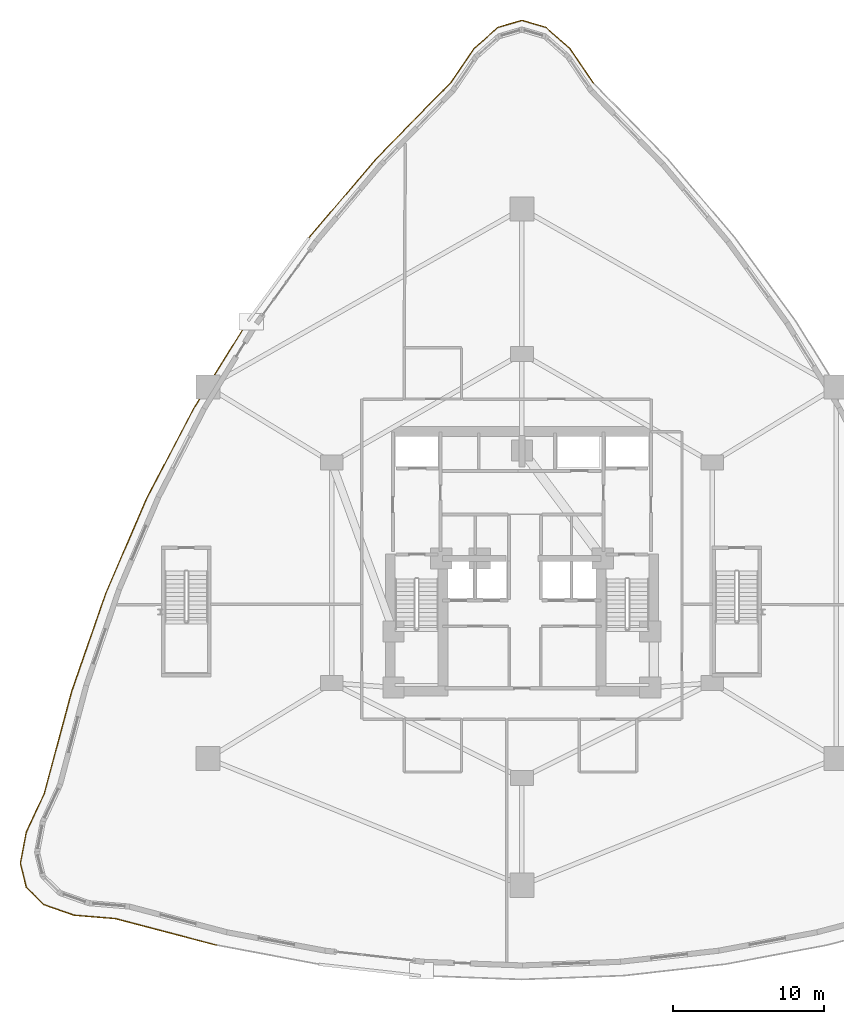
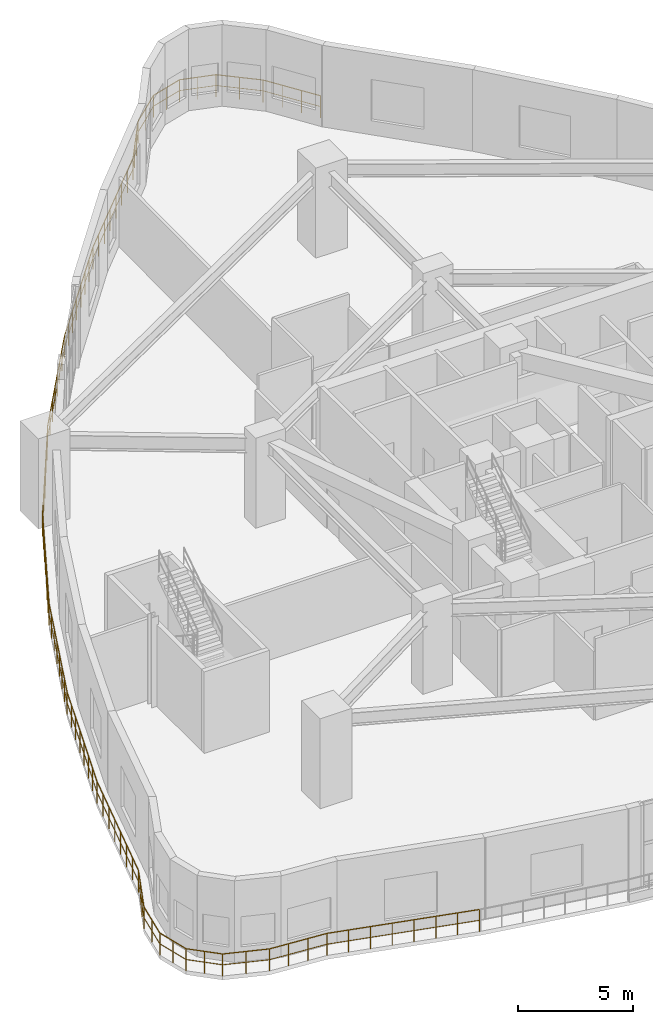
# One storey, part 19 of 19: 1 railing.
"""IFC4 building model written with IfcOpenShell, lengths in metres."""

from ifc_helpers import new_model, si_unit, direction, frame, origin, origin_2d, place, context, subcontext, project, spatial, circle, extrude, material, type_object, element, save


model = new_model("IFC4")

# Units and contexts
model_context = context("Model", 3, precision=1e-05, world=origin(), true_north=direction((0.0, 1.0)))
body_context = subcontext(model_context, "Body", "Model", "MODEL_VIEW")
ifc_project = project(units=[si_unit("LENGTHUNIT", "METRE"), si_unit("AREAUNIT", "SQUARE_METRE"), si_unit("VOLUMEUNIT", "CUBIC_METRE"), si_unit("PLANEANGLEUNIT", "RADIAN"), si_unit("MASSUNIT", "GRAM", prefix="KILO")], contexts=[model_context])

# Site, building, storey
site_placement = place(None, origin())
site = spatial("IfcSite", under=ifc_project, at=site_placement, CompositionType="ELEMENT")
building_placement = place(site_placement, origin())
building = spatial("IfcBuilding", under=site, at=building_placement, Name="Miruveldt Soraemaru", CompositionType="ELEMENT")
storey_placement = place(building_placement, frame((0.0, 0.0, 19.199951171875)))
storey = spatial("IfcBuildingStorey", under=building, at=storey_placement, Name="L05", CompositionType="ELEMENT", Elevation=19.199951171875)

# Railing
ifc_material = material(Name="Anodised aluminium EN AW-6063 T6", Category="aluminium")
railing_type = type_object("IfcRailingType", Name="RAIL-GUARD-1200", PredefinedType="GUARDRAIL", material=ifc_material)
railing_placement = place(storey_placement, frame((48.728515625, 75.548095703125, 0.0)))
element("IfcRailing", 1, at=railing_placement, inside=storey, type_object=railing_type, Name="L05 Planted Terrace Perimeter Guardrail (A)", PredefinedType="GUARDRAIL", context=body_context, shape_type="SweptSolid", body=[
    extrude(circle(Radius=0.02392578125, at=origin_2d()), frame((0.0, 0.0, 1.17578125), z_axis=(-0.565691815901, 0.82461674093, 0.0), x_axis=(-0.82461674093, -0.565691815901, 0.0)), (0.0, 0.0, 1.0), 2.786376953125),
    extrude(circle(Radius=0.01611328125, at=origin_2d()), frame((0.0, 0.0, 0.60009765625), z_axis=(-0.565691815901, 0.82461674093, 0.0), x_axis=(-0.82461674093, -0.565691815901, 0.0)), (0.0, 0.0, 1.0), 2.786376953125),
    extrude(circle(Radius=0.02392578125, at=origin_2d()), frame((-1.576171875, 2.297607421875, 1.17578125), z_axis=(-0.752634465508, 0.658438578251, 0.0), x_axis=(-0.658438578251, -0.752634465508, 0.0)), (0.0, 0.0, 1.0), 2.09423828125),
    extrude(circle(Radius=0.01611328125, at=origin_2d()), frame((-1.576171875, 2.297607421875, 0.60009765625), z_axis=(-0.752634465508, 0.658438578251, 0.0), x_axis=(-0.658438578251, -0.752634465508, 0.0)), (0.0, 0.0, 1.0), 2.09423828125),
    extrude(circle(Radius=0.02392578125, at=origin_2d()), frame((-3.15234375, 3.676513671875, 1.17578125), z_axis=(-0.960039962142, 0.27986295055, 0.0), x_axis=(-0.27986295055, -0.960039962142, 0.0)), (0.0, 0.0, 1.0), 1.641845703125),
    extrude(circle(Radius=0.01611328125, at=origin_2d()), frame((-3.15234375, 3.676513671875, 0.60009765625), z_axis=(-0.960039962142, 0.27986295055, 0.0), x_axis=(-0.27986295055, -0.960039962142, 0.0)), (0.0, 0.0, 1.0), 1.641845703125),
    extrude(circle(Radius=0.02392578125, at=origin_2d()), frame((-4.728515625, 4.135986328125, 1.17578125), z_axis=(-0.960039962142, -0.27986295055, 0.0), x_axis=(0.27986295055, -0.960039962142, 0.0)), (0.0, 0.0, 1.0), 1.641845703125),
    extrude(circle(Radius=0.01611328125, at=origin_2d()), frame((-4.728515625, 4.135986328125, 0.60009765625), z_axis=(-0.960039962142, -0.27986295055, 0.0), x_axis=(0.27986295055, -0.960039962142, 0.0)), (0.0, 0.0, 1.0), 1.641845703125),
    extrude(circle(Radius=0.02392578125, at=origin_2d()), frame((-6.3046875, 3.676513671875, 1.17578125), z_axis=(-0.752634465508, -0.658438578251, 0.0), x_axis=(0.658438578251, -0.752634465508, 0.0)), (0.0, 0.0, 1.0), 2.09423828125),
    extrude(circle(Radius=0.01611328125, at=origin_2d()), frame((-6.3046875, 3.676513671875, 0.60009765625), z_axis=(-0.752634465508, -0.658438578251, 0.0), x_axis=(0.658438578251, -0.752634465508, 0.0)), (0.0, 0.0, 1.0), 2.09423828125),
    extrude(circle(Radius=0.02392578125, at=origin_2d()), frame((-7.880859375, 2.297607421875, 1.17578125), z_axis=(-0.565691815901, -0.82461674093, 0.0), x_axis=(0.82461674093, -0.565691815901, 0.0)), (0.0, 0.0, 1.0), 2.786376953125),
    extrude(circle(Radius=0.01611328125, at=origin_2d()), frame((-7.880859375, 2.297607421875, 0.60009765625), z_axis=(-0.565691815901, -0.82461674093, 0.0), x_axis=(0.82461674093, -0.565691815901, 0.0)), (0.0, 0.0, 1.0), 2.786376953125),
    extrude(circle(Radius=0.02392578125, at=origin_2d()), frame((-9.45703125, 0.0, 1.17578125), z_axis=(-0.700422705134, -0.713728263509, 0.0), x_axis=(0.713728263509, -0.700422705134, 0.0)), (0.0, 0.0, 1.0), 7.00927734375),
    extrude(circle(Radius=0.01611328125, at=origin_2d()), frame((-9.45703125, 0.0, 0.60009765625), z_axis=(-0.700422705134, -0.713728263509, 0.0), x_axis=(0.713728263509, -0.700422705134, 0.0)), (0.0, 0.0, 1.0), 7.00927734375),
    extrude(circle(Radius=0.02392578125, at=origin_2d()), frame((-14.366455078125, -5.002685546875, 1.17578125), z_axis=(-0.647784027541, -0.761824030641, 0.0), x_axis=(0.761824030641, -0.647784027541, 0.0)), (0.0, 0.0, 1.0), 6.897705078125),
    extrude(circle(Radius=0.01611328125, at=origin_2d()), frame((-14.366455078125, -5.002685546875, 0.60009765625), z_axis=(-0.647784027541, -0.761824030641, 0.0), x_axis=(0.761824030641, -0.647784027541, 0.0)), (0.0, 0.0, 1.0), 6.897705078125),
    extrude(circle(Radius=0.02392578125, at=origin_2d()), frame((-18.834716796875, -10.257568359375, 1.17578125), z_axis=(-0.590210373126, -0.807249475351, 0.0), x_axis=(0.807249475351, -0.590210373126, 0.0)), (0.0, 0.0, 1.0), 6.822265625),
    extrude(circle(Radius=0.01611328125, at=origin_2d()), frame((-18.834716796875, -10.257568359375, 0.60009765625), z_axis=(-0.590210373126, -0.807249475351, 0.0), x_axis=(0.807249475351, -0.590210373126, 0.0)), (0.0, 0.0, 1.0), 6.822265625),
    extrude(circle(Radius=0.02392578125, at=origin_2d()), frame((-22.861328125, -15.764892578125, 1.17578125), z_axis=(-0.528461568287, -0.848957225568, 0.0), x_axis=(0.848957225568, -0.528461568287, 0.0)), (0.0, 0.0, 1.0), 6.7841796875),
    extrude(circle(Radius=0.01611328125, at=origin_2d()), frame((-22.861328125, -15.764892578125, 0.60009765625), z_axis=(-0.528461568287, -0.848957225568, 0.0), x_axis=(0.848957225568, -0.528461568287, 0.0)), (0.0, 0.0, 1.0), 6.7841796875),
    extrude(circle(Radius=0.02392578125, at=origin_2d()), frame((-26.446533203125, -21.5244140625, 1.17578125), z_axis=(-0.463391023411, -0.886153914071, 0.0), x_axis=(0.886153914071, -0.463391023411, 0.0)), (0.0, 0.0, 1.0), 6.784423828125),
    extrude(circle(Radius=0.01611328125, at=origin_2d()), frame((-26.446533203125, -21.5244140625, 0.60009765625), z_axis=(-0.463391023411, -0.886153914071, 0.0), x_axis=(0.886153914071, -0.463391023411, 0.0)), (0.0, 0.0, 1.0), 6.784423828125),
    extrude(circle(Radius=0.02392578125, at=origin_2d()), frame((-29.59033203125, -27.536376953125, 1.17578125), z_axis=(-0.396116550167, -0.918200238882, 0.0), x_axis=(0.918200238882, -0.396116550167, 0.0)), (0.0, 0.0, 1.0), 6.822265625),
    extrude(circle(Radius=0.01611328125, at=origin_2d()), frame((-29.59033203125, -27.536376953125, 0.60009765625), z_axis=(-0.396116550167, -0.918200238882, 0.0), x_axis=(0.918200238882, -0.396116550167, 0.0)), (0.0, 0.0, 1.0), 6.822265625),
    extrude(circle(Radius=0.02392578125, at=origin_2d()), frame((-32.292724609375, -33.800537109375, 1.17578125), z_axis=(-0.327788820377, -0.944751019706, 0.0), x_axis=(0.944751019706, -0.327788820377, 0.0)), (0.0, 0.0, 1.0), 6.897705078125),
    extrude(circle(Radius=0.01611328125, at=origin_2d()), frame((-32.292724609375, -33.800537109375, 0.60009765625), z_axis=(-0.327788820377, -0.944751019706, 0.0), x_axis=(0.944751019706, -0.327788820377, 0.0)), (0.0, 0.0, 1.0), 6.897705078125),
    extrude(circle(Radius=0.02392578125, at=origin_2d()), frame((-34.5537109375, -40.317138671875, 1.17578125), z_axis=(-0.259561241891, -0.96572664958, 0.0), x_axis=(0.96572664958, -0.259561241891, 0.0)), (0.0, 0.0, 1.0), 7.00927734375),
    extrude(circle(Radius=0.01611328125, at=origin_2d()), frame((-34.5537109375, -40.317138671875, 0.60009765625), z_axis=(-0.259561241891, -0.96572664958, 0.0), x_axis=(0.96572664958, -0.259561241891, 0.0)), (0.0, 0.0, 1.0), 7.00927734375),
    extrude(circle(Radius=0.02392578125, at=origin_2d()), frame((-36.373046875, -47.086181640625, 1.17578125), z_axis=(-0.423646898679, -0.90582741471, 0.0), x_axis=(0.90582741471, -0.423646898679, 0.0)), (0.0, 0.0, 1.0), 2.790283203125),
    extrude(circle(Radius=0.01611328125, at=origin_2d()), frame((-36.373046875, -47.086181640625, 0.60009765625), z_axis=(-0.423646898679, -0.90582741471, 0.0), x_axis=(0.90582741471, -0.423646898679, 0.0)), (0.0, 0.0, 1.0), 2.790283203125),
    extrude(circle(Radius=0.02392578125, at=origin_2d()), frame((-37.55517578125, -49.61376953125, 1.17578125), z_axis=(-0.187186718311, -0.982324351978, 0.0), x_axis=(0.982324351978, -0.187186718311, 0.0)), (0.0, 0.0, 1.0), 2.10498046875),
    extrude(circle(Radius=0.01611328125, at=origin_2d()), frame((-37.55517578125, -49.61376953125, 0.60009765625), z_axis=(-0.187186718311, -0.982324351978, 0.0), x_axis=(0.982324351978, -0.187186718311, 0.0)), (0.0, 0.0, 1.0), 2.10498046875),
    extrude(circle(Radius=0.02392578125, at=origin_2d()), frame((-37.94921875, -51.681640625, 1.17578125), z_axis=(0.237953885164, -0.971276453197, 0.0), x_axis=(0.971276453197, 0.237953885164, 0.0)), (0.0, 0.0, 1.0), 1.656005859375),
    extrude(circle(Radius=0.01611328125, at=origin_2d()), frame((-37.94921875, -51.681640625, 0.60009765625), z_axis=(0.237953885164, -0.971276453197, 0.0), x_axis=(0.971276453197, 0.237953885164, 0.0)), (0.0, 0.0, 1.0), 1.656005859375),
    extrude(circle(Radius=0.02392578125, at=origin_2d()), frame((-37.55517578125, -53.2900390625, 1.17578125), z_axis=(0.717105941548, -0.696964180282, 0.0), x_axis=(0.696964180282, 0.717105941548, 0.0)), (0.0, 0.0, 1.0), 1.6484375),
    extrude(circle(Radius=0.01611328125, at=origin_2d()), frame((-37.55517578125, -53.2900390625, 0.60009765625), z_axis=(0.717105941548, -0.696964180282, 0.0), x_axis=(0.696964180282, 0.717105941548, 0.0)), (0.0, 0.0, 1.0), 1.6484375),
    extrude(circle(Radius=0.02392578125, at=origin_2d()), frame((-36.373046875, -54.43896484375, 1.17578125), z_axis=(0.943913048977, -0.33019411862, 0.0), x_axis=(0.33019411862, 0.943913048977, 0.0)), (0.0, 0.0, 1.0), 2.08740234375),
    extrude(circle(Radius=0.01611328125, at=origin_2d()), frame((-36.373046875, -54.43896484375, 0.60009765625), z_axis=(0.943913048977, -0.33019411862, 0.0), x_axis=(0.33019411862, 0.943913048977, 0.0)), (0.0, 0.0, 1.0), 2.08740234375),
    extrude(circle(Radius=0.02392578125, at=origin_2d()), frame((-34.40283203125, -55.128173828125, 1.17578125), z_axis=(0.996542107413, -0.083089278207, 0.0), x_axis=(0.083089278207, 0.996542107413, 0.0)), (0.0, 0.0, 1.0), 2.767822265625),
    extrude(circle(Radius=0.01611328125, at=origin_2d()), frame((-34.40283203125, -55.128173828125, 0.60009765625), z_axis=(0.996542107413, -0.083089278207, 0.0), x_axis=(0.083089278207, 0.996542107413, 0.0)), (0.0, 0.0, 1.0), 2.767822265625),
    extrude(circle(Radius=0.02392578125, at=origin_2d()), frame((-31.64453125, -55.358154296875, 1.17578125), z_axis=(0.967229228008, -0.253904746878, 0.0), x_axis=(0.253904746878, 0.967229228008, 0.0)), (0.0, 0.0, 1.0), 6.90185546875),
    extrude(circle(Radius=0.01611328125, at=origin_2d()), frame((-31.64453125, -55.358154296875, 0.60009765625), z_axis=(0.967229228008, -0.253904746878, 0.0), x_axis=(0.253904746878, 0.967229228008, 0.0)), (0.0, 0.0, 1.0), 6.90185546875),
    extrude(circle(Radius=0.02099609375, at=origin_2d()), origin(), (0.0, 0.0, 1.0), 1.15185546875),
    extrude(circle(Radius=0.02099609375, at=origin_2d()), frame((-0.525390625, 0.765869140625, 0.0)), (0.0, 0.0, 1.0), 1.15185546875),
    extrude(circle(Radius=0.02099609375, at=origin_2d()), frame((-1.05078125, 1.53173828125, 0.0)), (0.0, 0.0, 1.0), 1.15185546875),
    extrude(circle(Radius=0.02099609375, at=origin_2d()), frame((-1.576171875, 2.297607421875, 0.0)), (0.0, 0.0, 1.0), 1.15185546875),
    extrude(circle(Radius=0.02099609375, at=origin_2d()), frame((-2.3642578125, 2.987060546875, 0.0)), (0.0, 0.0, 1.0), 1.15185546875),
    extrude(circle(Radius=0.02099609375, at=origin_2d()), frame((-3.15234375, 3.676513671875, 0.0)), (0.0, 0.0, 1.0), 1.15185546875),
    extrude(circle(Radius=0.02099609375, at=origin_2d()), frame((-3.9404296875, 3.90625, 0.0)), (0.0, 0.0, 1.0), 1.15185546875),
    extrude(circle(Radius=0.02099609375, at=origin_2d()), frame((-4.728515625, 4.135986328125, 0.0)), (0.0, 0.0, 1.0), 1.15185546875),
    extrude(circle(Radius=0.02099609375, at=origin_2d()), frame((-5.5166015625, 3.90625, 0.0)), (0.0, 0.0, 1.0), 1.15185546875),
    extrude(circle(Radius=0.02099609375, at=origin_2d()), frame((-6.3046875, 3.676513671875, 0.0)), (0.0, 0.0, 1.0), 1.15185546875),
    extrude(circle(Radius=0.02099609375, at=origin_2d()), frame((-7.0927734375, 2.987060546875, 0.0)), (0.0, 0.0, 1.0), 1.15185546875),
    extrude(circle(Radius=0.02099609375, at=origin_2d()), frame((-7.880859375, 2.297607421875, 0.0)), (0.0, 0.0, 1.0), 1.15185546875),
    extrude(circle(Radius=0.02099609375, at=origin_2d()), frame((-8.40625, 1.53173828125, 0.0)), (0.0, 0.0, 1.0), 1.15185546875),
    extrude(circle(Radius=0.02099609375, at=origin_2d()), frame((-8.931640625, 0.765869140625, 0.0)), (0.0, 0.0, 1.0), 1.15185546875),
    extrude(circle(Radius=0.02099609375, at=origin_2d()), frame((-9.45703125, 0.0, 0.0)), (0.0, 0.0, 1.0), 1.15185546875),
    extrude(circle(Radius=0.02099609375, at=origin_2d()), frame((-10.158447265625, -0.714599609375, 0.0)), (0.0, 0.0, 1.0), 1.15185546875),
    extrude(circle(Radius=0.02099609375, at=origin_2d()), frame((-10.859619140625, -1.429443359375, 0.0)), (0.0, 0.0, 1.0), 1.15185546875),
    extrude(circle(Radius=0.02099609375, at=origin_2d()), frame((-11.56103515625, -2.14404296875, 0.0)), (0.0, 0.0, 1.0), 1.15185546875),
    extrude(circle(Radius=0.02099609375, at=origin_2d()), frame((-12.262451171875, -2.858642578125, 0.0)), (0.0, 0.0, 1.0), 1.15185546875),
    extrude(circle(Radius=0.02099609375, at=origin_2d()), frame((-12.9638671875, -3.5732421875, 0.0)), (0.0, 0.0, 1.0), 1.15185546875),
    extrude(circle(Radius=0.02099609375, at=origin_2d()), frame((-13.6650390625, -4.2880859375, 0.0)), (0.0, 0.0, 1.0), 1.15185546875),
    extrude(circle(Radius=0.02099609375, at=origin_2d()), frame((-14.366455078125, -5.002685546875, 0.0)), (0.0, 0.0, 1.0), 1.15185546875),
    extrude(circle(Radius=0.02099609375, at=origin_2d()), frame((-15.0048828125, -5.75341796875, 0.0)), (0.0, 0.0, 1.0), 1.15185546875),
    extrude(circle(Radius=0.02099609375, at=origin_2d()), frame((-15.64306640625, -6.504150390625, 0.0)), (0.0, 0.0, 1.0), 1.15185546875),
    extrude(circle(Radius=0.02099609375, at=origin_2d()), frame((-16.281494140625, -7.2548828125, 0.0)), (0.0, 0.0, 1.0), 1.15185546875),
    extrude(circle(Radius=0.02099609375, at=origin_2d()), frame((-16.919677734375, -8.00537109375, 0.0)), (0.0, 0.0, 1.0), 1.15185546875),
    extrude(circle(Radius=0.02099609375, at=origin_2d()), frame((-17.55810546875, -8.756103515625, 0.0)), (0.0, 0.0, 1.0), 1.15185546875),
    extrude(circle(Radius=0.02099609375, at=origin_2d()), frame((-18.1962890625, -9.5068359375, 0.0)), (0.0, 0.0, 1.0), 1.15185546875),
    extrude(circle(Radius=0.02099609375, at=origin_2d()), frame((-18.834716796875, -10.257568359375, 0.0)), (0.0, 0.0, 1.0), 1.15185546875),
    extrude(circle(Radius=0.02099609375, at=origin_2d()), frame((-19.409912109375, -11.04443359375, 0.0)), (0.0, 0.0, 1.0), 1.15185546875),
    extrude(circle(Radius=0.02099609375, at=origin_2d()), frame((-19.985107421875, -11.8310546875, 0.0)), (0.0, 0.0, 1.0), 1.15185546875),
    extrude(circle(Radius=0.02099609375, at=origin_2d()), frame((-20.560302734375, -12.617919921875, 0.0)), (0.0, 0.0, 1.0), 1.15185546875),
    extrude(circle(Radius=0.02099609375, at=origin_2d()), frame((-21.1357421875, -13.404541015625, 0.0)), (0.0, 0.0, 1.0), 1.15185546875),
    extrude(circle(Radius=0.02099609375, at=origin_2d()), frame((-21.7109375, -14.19140625, 0.0)), (0.0, 0.0, 1.0), 1.15185546875),
    extrude(circle(Radius=0.02099609375, at=origin_2d()), frame((-22.2861328125, -14.97802734375, 0.0)), (0.0, 0.0, 1.0), 1.15185546875),
    extrude(circle(Radius=0.02099609375, at=origin_2d()), frame((-22.861328125, -15.764892578125, 0.0)), (0.0, 0.0, 1.0), 1.15185546875),
    extrude(circle(Radius=0.02099609375, at=origin_2d()), frame((-23.37353515625, -16.587646484375, 0.0)), (0.0, 0.0, 1.0), 1.15185546875),
    extrude(circle(Radius=0.02099609375, at=origin_2d()), frame((-23.8857421875, -17.410400390625, 0.0)), (0.0, 0.0, 1.0), 1.15185546875),
    extrude(circle(Radius=0.02099609375, at=origin_2d()), frame((-24.39794921875, -18.233154296875, 0.0)), (0.0, 0.0, 1.0), 1.15185546875),
    extrude(circle(Radius=0.02099609375, at=origin_2d()), frame((-24.909912109375, -19.05615234375, 0.0)), (0.0, 0.0, 1.0), 1.15185546875),
    extrude(circle(Radius=0.02099609375, at=origin_2d()), frame((-25.422119140625, -19.87890625, 0.0)), (0.0, 0.0, 1.0), 1.15185546875),
    extrude(circle(Radius=0.02099609375, at=origin_2d()), frame((-25.934326171875, -20.70166015625, 0.0)), (0.0, 0.0, 1.0), 1.15185546875),
    extrude(circle(Radius=0.02099609375, at=origin_2d()), frame((-26.446533203125, -21.5244140625, 0.0)), (0.0, 0.0, 1.0), 1.15185546875),
    extrude(circle(Radius=0.02099609375, at=origin_2d()), frame((-26.895751953125, -22.38330078125, 0.0)), (0.0, 0.0, 1.0), 1.15185546875),
    extrude(circle(Radius=0.02099609375, at=origin_2d()), frame((-27.3447265625, -23.2421875, 0.0)), (0.0, 0.0, 1.0), 1.15185546875),
    extrude(circle(Radius=0.02099609375, at=origin_2d()), frame((-27.7939453125, -24.10107421875, 0.0)), (0.0, 0.0, 1.0), 1.15185546875),
    extrude(circle(Radius=0.02099609375, at=origin_2d()), frame((-28.242919921875, -24.959716796875, 0.0)), (0.0, 0.0, 1.0), 1.15185546875),
    extrude(circle(Radius=0.02099609375, at=origin_2d()), frame((-28.692138671875, -25.818603515625, 0.0)), (0.0, 0.0, 1.0), 1.15185546875),
    extrude(circle(Radius=0.02099609375, at=origin_2d()), frame((-29.14111328125, -26.677490234375, 0.0)), (0.0, 0.0, 1.0), 1.15185546875),
    extrude(circle(Radius=0.02099609375, at=origin_2d()), frame((-29.59033203125, -27.536376953125, 0.0)), (0.0, 0.0, 1.0), 1.15185546875),
    extrude(circle(Radius=0.02099609375, at=origin_2d()), frame((-29.976318359375, -28.43115234375, 0.0)), (0.0, 0.0, 1.0), 1.15185546875),
    extrude(circle(Radius=0.02099609375, at=origin_2d()), frame((-30.362548828125, -29.326171875, 0.0)), (0.0, 0.0, 1.0), 1.15185546875),
    extrude(circle(Radius=0.02099609375, at=origin_2d()), frame((-30.74853515625, -30.220947265625, 0.0)), (0.0, 0.0, 1.0), 1.15185546875),
    extrude(circle(Radius=0.02099609375, at=origin_2d()), frame((-31.134521484375, -31.115966796875, 0.0)), (0.0, 0.0, 1.0), 1.15185546875),
    extrude(circle(Radius=0.02099609375, at=origin_2d()), frame((-31.5205078125, -32.0107421875, 0.0)), (0.0, 0.0, 1.0), 1.15185546875),
    extrude(circle(Radius=0.02099609375, at=origin_2d()), frame((-31.90673828125, -32.90576171875, 0.0)), (0.0, 0.0, 1.0), 1.15185546875),
    extrude(circle(Radius=0.02099609375, at=origin_2d()), frame((-32.292724609375, -33.800537109375, 0.0)), (0.0, 0.0, 1.0), 1.15185546875),
    extrude(circle(Radius=0.02099609375, at=origin_2d()), frame((-32.61572265625, -34.7314453125, 0.0)), (0.0, 0.0, 1.0), 1.15185546875),
    extrude(circle(Radius=0.02099609375, at=origin_2d()), frame((-32.938720703125, -35.662353515625, 0.0)), (0.0, 0.0, 1.0), 1.15185546875),
    extrude(circle(Radius=0.02099609375, at=origin_2d()), frame((-33.26171875, -36.59326171875, 0.0)), (0.0, 0.0, 1.0), 1.15185546875),
    extrude(circle(Radius=0.02099609375, at=origin_2d()), frame((-33.584716796875, -37.5244140625, 0.0)), (0.0, 0.0, 1.0), 1.15185546875),
    extrude(circle(Radius=0.02099609375, at=origin_2d()), frame((-33.90771484375, -38.455322265625, 0.0)), (0.0, 0.0, 1.0), 1.15185546875),
    extrude(circle(Radius=0.02099609375, at=origin_2d()), frame((-34.230712890625, -39.38623046875, 0.0)), (0.0, 0.0, 1.0), 1.15185546875),
    extrude(circle(Radius=0.02099609375, at=origin_2d()), frame((-34.5537109375, -40.317138671875, 0.0)), (0.0, 0.0, 1.0), 1.15185546875),
    extrude(circle(Radius=0.02099609375, at=origin_2d()), frame((-34.813720703125, -41.2841796875, 0.0)), (0.0, 0.0, 1.0), 1.15185546875),
    extrude(circle(Radius=0.02099609375, at=origin_2d()), frame((-35.073486328125, -42.251220703125, 0.0)), (0.0, 0.0, 1.0), 1.15185546875),
    extrude(circle(Radius=0.02099609375, at=origin_2d()), frame((-35.33349609375, -43.21826171875, 0.0)), (0.0, 0.0, 1.0), 1.15185546875),
    extrude(circle(Radius=0.02099609375, at=origin_2d()), frame((-35.59326171875, -44.18505859375, 0.0)), (0.0, 0.0, 1.0), 1.15185546875),
    extrude(circle(Radius=0.02099609375, at=origin_2d()), frame((-35.853271484375, -45.152099609375, 0.0)), (0.0, 0.0, 1.0), 1.15185546875),
    extrude(circle(Radius=0.02099609375, at=origin_2d()), frame((-36.113037109375, -46.119140625, 0.0)), (0.0, 0.0, 1.0), 1.15185546875),
    extrude(circle(Radius=0.02099609375, at=origin_2d()), frame((-36.373046875, -47.086181640625, 0.0)), (0.0, 0.0, 1.0), 1.15185546875),
    extrude(circle(Radius=0.02099609375, at=origin_2d()), frame((-36.76708984375, -47.9287109375, 0.0)), (0.0, 0.0, 1.0), 1.15185546875),
    extrude(circle(Radius=0.02099609375, at=origin_2d()), frame((-37.1611328125, -48.771240234375, 0.0)), (0.0, 0.0, 1.0), 1.15185546875),
    extrude(circle(Radius=0.02099609375, at=origin_2d()), frame((-37.55517578125, -49.61376953125, 0.0)), (0.0, 0.0, 1.0), 1.15185546875),
    extrude(circle(Radius=0.02099609375, at=origin_2d()), frame((-37.752197265625, -50.647705078125, 0.0)), (0.0, 0.0, 1.0), 1.15185546875),
    extrude(circle(Radius=0.02099609375, at=origin_2d()), frame((-37.94921875, -51.681640625, 0.0)), (0.0, 0.0, 1.0), 1.15185546875),
    extrude(circle(Radius=0.02099609375, at=origin_2d()), frame((-37.752197265625, -52.48583984375, 0.0)), (0.0, 0.0, 1.0), 1.15185546875),
    extrude(circle(Radius=0.02099609375, at=origin_2d()), frame((-37.55517578125, -53.2900390625, 0.0)), (0.0, 0.0, 1.0), 1.15185546875),
    extrude(circle(Radius=0.02099609375, at=origin_2d()), frame((-36.964111328125, -53.864501953125, 0.0)), (0.0, 0.0, 1.0), 1.15185546875),
    extrude(circle(Radius=0.02099609375, at=origin_2d()), frame((-36.373046875, -54.43896484375, 0.0)), (0.0, 0.0, 1.0), 1.15185546875),
    extrude(circle(Radius=0.02099609375, at=origin_2d()), frame((-35.387939453125, -54.78369140625, 0.0)), (0.0, 0.0, 1.0), 1.15185546875),
    extrude(circle(Radius=0.02099609375, at=origin_2d()), frame((-34.40283203125, -55.128173828125, 0.0)), (0.0, 0.0, 1.0), 1.15185546875),
    extrude(circle(Radius=0.02099609375, at=origin_2d()), frame((-33.4833984375, -55.204833984375, 0.0)), (0.0, 0.0, 1.0), 1.15185546875),
    extrude(circle(Radius=0.02099609375, at=origin_2d()), frame((-32.56396484375, -55.281494140625, 0.0)), (0.0, 0.0, 1.0), 1.15185546875),
    extrude(circle(Radius=0.02099609375, at=origin_2d()), frame((-31.64453125, -55.358154296875, 0.0)), (0.0, 0.0, 1.0), 1.15185546875),
    extrude(circle(Radius=0.02099609375, at=origin_2d()), frame((-30.69091796875, -55.6083984375, 0.0)), (0.0, 0.0, 1.0), 1.15185546875),
    extrude(circle(Radius=0.02099609375, at=origin_2d()), frame((-29.737060546875, -55.85888671875, 0.0)), (0.0, 0.0, 1.0), 1.15185546875),
    extrude(circle(Radius=0.02099609375, at=origin_2d()), frame((-28.783447265625, -56.109130859375, 0.0)), (0.0, 0.0, 1.0), 1.15185546875),
    extrude(circle(Radius=0.02099609375, at=origin_2d()), frame((-27.829833984375, -56.359619140625, 0.0)), (0.0, 0.0, 1.0), 1.15185546875),
    extrude(circle(Radius=0.02099609375, at=origin_2d()), frame((-26.876220703125, -56.60986328125, 0.0)), (0.0, 0.0, 1.0), 1.15185546875),
    extrude(circle(Radius=0.02099609375, at=origin_2d()), frame((-25.92236328125, -56.8603515625, 0.0)), (0.0, 0.0, 1.0), 1.15185546875),
    extrude(circle(Radius=0.02099609375, at=origin_2d()), frame((-24.96875, -57.110595703125, 0.0)), (0.0, 0.0, 1.0), 1.15185546875),
])

save(model, "model.ifc")
